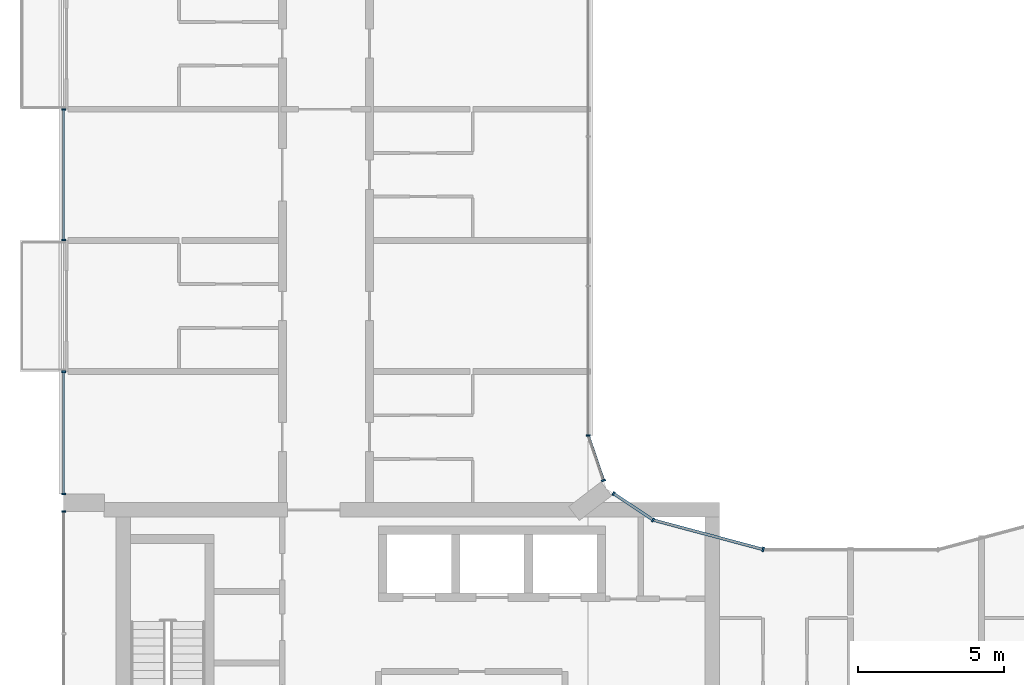
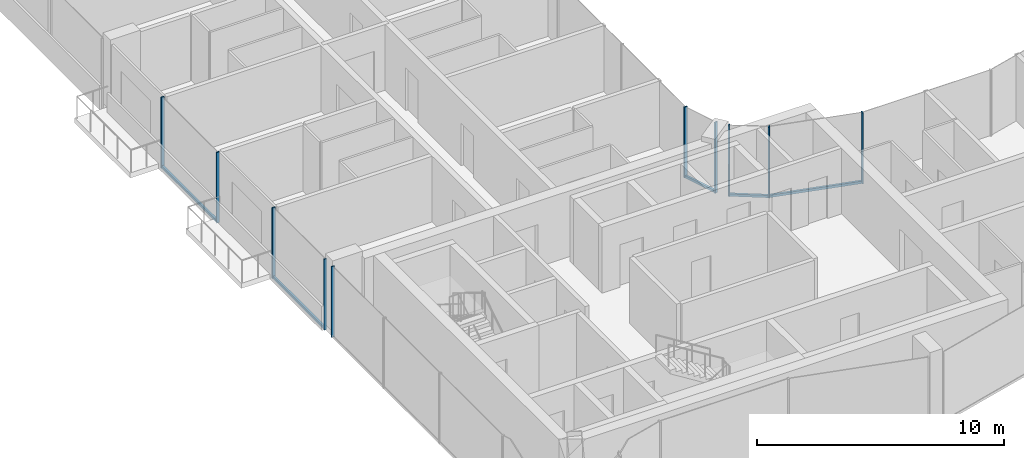
# One storey, part 4 of 16: 15 members, 7 elements without a shape of their own.
"""IFC4 building model written with IfcOpenShell, lengths in metres."""

from ifc_helpers import new_model, si_unit, direction, frame, origin, origin_2d, place, context, subcontext, project, spatial, rectangle, extrude, material, layer, layer_set, material_profile, profile_set, type_object, element, aggregate, save


model = new_model("IFC4")

# Units and contexts
model_context = context("Model", 3, precision=1e-05, world=origin(), true_north=direction((0.0, 1.0)))
body_context = subcontext(model_context, "Body", "Model", "MODEL_VIEW")
ifc_project = project(units=[si_unit("LENGTHUNIT", "METRE"), si_unit("AREAUNIT", "SQUARE_METRE"), si_unit("VOLUMEUNIT", "CUBIC_METRE"), si_unit("PLANEANGLEUNIT", "RADIAN"), si_unit("MASSUNIT", "GRAM", prefix="KILO")], contexts=[model_context])

# Site, building, storey
site_placement = place(None, origin())
site = spatial("IfcSite", under=ifc_project, at=site_placement, CompositionType="ELEMENT")
building_placement = place(site_placement, origin())
building = spatial("IfcBuilding", under=site, at=building_placement, Name="Plateau Cross Towers", CompositionType="ELEMENT")
storey_placement = place(building_placement, frame((0.0, 0.0, 218.89990234375)))
storey = spatial("IfcBuildingStorey", under=building, at=storey_placement, Name="L57", CompositionType="ELEMENT", Elevation=218.89990234375)

# Curtain wall, members
ifc_material_1 = material(Name="Dark low-iron glass", Category="glass")
ifc_layer_1 = layer(ifc_material_1, 0.239990234375)
ifc_layer_set_1 = layer_set([ifc_layer_1], Name="Dark low-iron glass")
curtain_wall_type_1 = type_object("IfcCurtainWallType", Name="Curtain wall flush unitised CW-B", PredefinedType="NOTDEFINED", material=ifc_layer_set_1)
curtain_wall_1_placement = place(storey_placement, origin())
curtain_wall_1 = element("IfcCurtainWall", 1, at=curtain_wall_1_placement, inside=storey, type_object=curtain_wall_type_1, Name="ENV/A/L57/A202_174", PredefinedType="NOTDEFINED")
ifc_material_2 = material(Name="Black anodised aluminium", Category="aluminium")
ifc_material_profile_1 = material_profile(ifc_material_2, rectangle(XDim=0.06005859375, YDim=0.139892578125, at=origin_2d()), Name="MULLION 60x140")
ifc_profile_set_1 = profile_set([ifc_material_profile_1], Name="Black anodised aluminium")
member_type_1 = type_object("IfcMemberType", Name="Mullion 60x140 flush unitised", PredefinedType="MULLION", material=ifc_profile_set_1)
member_1_placement = place(storey_placement, frame((20.223876953125, 17.404296875, -0.25), z_axis=(0.0, 0.0, 1.0), x_axis=(-0.831521253329, 0.555492938984, 0.0)))
member_1 = element("IfcMember", 2, at=member_1_placement, type_object=member_type_1, Name="CW-B mullion 1", PredefinedType="MULLION", context=body_context, shape_type="SweptSolid", body=[
    extrude(rectangle(XDim=0.06005859375, YDim=0.139892578125, at=origin_2d()), origin(), (0.0, 0.0, 1.0), 3.5),
])
member_2_placement = place(storey_placement, frame((18.86962890625, 18.30908203125, -0.25), z_axis=(0.0, 0.0, 1.0), x_axis=(-0.831521253329, 0.555492938984, 0.0)))
member_2 = element("IfcMember", 3, at=member_2_placement, type_object=member_type_1, Name="CW-B mullion 2", PredefinedType="MULLION", context=body_context, shape_type="SweptSolid", body=[
    extrude(rectangle(XDim=0.06005859375, YDim=0.139892578125, at=origin_2d()), origin(), (0.0, 0.0, 1.0), 3.5),
])

# Curtain wall, member
curtain_wall_2_placement = place(storey_placement, origin())
curtain_wall_2 = element("IfcCurtainWall", 4, at=curtain_wall_2_placement, inside=storey, type_object=curtain_wall_type_1, Name="ENV/A/L57/A185_188", PredefinedType="NOTDEFINED")
member_3_placement = place(storey_placement, frame((18.523681640625, 18.760009765625, -0.25), z_axis=(0.0, 0.0, 1.0), x_axis=(-0.321469161574, 0.94692004845, 0.0)))
member_3 = element("IfcMember", 5, at=member_3_placement, type_object=member_type_1, Name="CW-B mullion 1", PredefinedType="MULLION", context=body_context, shape_type="SweptSolid", body=[
    extrude(rectangle(XDim=0.06005859375, YDim=0.139892578125, at=origin_2d()), origin(), (0.0, 0.0, 1.0), 3.5),
])

curtain_wall_3_placement = place(storey_placement, origin())
curtain_wall_3 = element("IfcCurtainWall", 6, at=curtain_wall_3_placement, inside=storey, type_object=curtain_wall_type_1, Name="ENV/A/L57/A180_203", PredefinedType="NOTDEFINED")
member_4_placement = place(storey_placement, frame((18.0, 20.30224609375, -0.25), z_axis=(0.0, 0.0, 1.0), x_axis=(0.0, 1.0, 0.0)))
member_4 = element("IfcMember", 7, at=member_4_placement, type_object=member_type_1, Name="CW-B mullion 1", PredefinedType="MULLION", context=body_context, shape_type="SweptSolid", body=[
    extrude(rectangle(XDim=0.06005859375, YDim=0.139892578125, at=origin_2d()), origin(), (0.0, 0.0, 1.0), 3.5),
])
aggregate(curtain_wall_3, [member_4])

# Curtain wall, members
curtain_wall_4_placement = place(storey_placement, origin())
curtain_wall_4 = element("IfcCurtainWall", 8, at=curtain_wall_4_placement, inside=storey, type_object=curtain_wall_type_1, Name="ENV/A/L57/A0_315", PredefinedType="NOTDEFINED")
member_5_placement = place(storey_placement, frame((0.0, 31.489990234375, -0.25), z_axis=(0.0, 0.0, 1.0), x_axis=(0.0, -1.0, 0.0)))
member_5 = element("IfcMember", 9, at=member_5_placement, type_object=member_type_1, Name="CW-B mullion 1", PredefinedType="MULLION", context=body_context, shape_type="SweptSolid", body=[
    extrude(rectangle(XDim=0.06005859375, YDim=0.139892578125, at=origin_2d()), origin(), (0.0, 0.0, 1.0), 3.5),
])
member_6_placement = place(storey_placement, frame((0.0, 27.010009765625, -0.25), z_axis=(0.0, 0.0, 1.0), x_axis=(0.0, -1.0, 0.0)))
member_6 = element("IfcMember", 10, at=member_6_placement, type_object=member_type_1, Name="CW-B mullion 2", PredefinedType="MULLION", context=body_context, shape_type="SweptSolid", body=[
    extrude(rectangle(XDim=0.06005859375, YDim=0.139892578125, at=origin_2d()), origin(), (0.0, 0.0, 1.0), 3.5),
])

curtain_wall_5_placement = place(storey_placement, origin())
curtain_wall_5 = element("IfcCurtainWall", 11, at=curtain_wall_5_placement, inside=storey, type_object=curtain_wall_type_1, Name="ENV/A/L57/A0_225", PredefinedType="NOTDEFINED")
member_7_placement = place(storey_placement, frame((0.0, 22.489990234375, -0.25), z_axis=(0.0, 0.0, 1.0), x_axis=(0.0, -1.0, 0.0)))
member_7 = element("IfcMember", 12, at=member_7_placement, type_object=member_type_1, Name="CW-B mullion 1", PredefinedType="MULLION", context=body_context, shape_type="SweptSolid", body=[
    extrude(rectangle(XDim=0.06005859375, YDim=0.139892578125, at=origin_2d()), origin(), (0.0, 0.0, 1.0), 3.5),
])
member_8_placement = place(storey_placement, frame((0.0, 18.300048828125, -0.25), z_axis=(0.0, 0.0, 1.0), x_axis=(0.0, -1.0, 0.0)))
member_8 = element("IfcMember", 13, at=member_8_placement, type_object=member_type_1, Name="CW-B mullion 2", PredefinedType="MULLION", context=body_context, shape_type="SweptSolid", body=[
    extrude(rectangle(XDim=0.06005859375, YDim=0.139892578125, at=origin_2d()), origin(), (0.0, 0.0, 1.0), 3.5),
])

# Curtain wall, member
curtain_wall_6_placement = place(storey_placement, origin())
curtain_wall_6 = element("IfcCurtainWall", 14, at=curtain_wall_6_placement, inside=storey, type_object=curtain_wall_type_1, Name="ENV/A/L57/A0_177", PredefinedType="NOTDEFINED")
member_9_placement = place(storey_placement, frame((0.0, 17.699951171875, -0.25), z_axis=(0.0, 0.0, 1.0), x_axis=(0.0, -1.0, 0.0)))
member_9 = element("IfcMember", 15, at=member_9_placement, type_object=member_type_1, Name="CW-B mullion 1", PredefinedType="MULLION", context=body_context, shape_type="SweptSolid", body=[
    extrude(rectangle(XDim=0.06005859375, YDim=0.139892578125, at=origin_2d()), origin(), (0.0, 0.0, 1.0), 3.5),
])
aggregate(curtain_wall_6, [member_9])

ifc_layer_2 = layer(ifc_material_1, 0.260009765625)
ifc_layer_set_2 = layer_set([ifc_layer_2], Name="Dark low-iron glass")
curtain_wall_type_2 = type_object("IfcCurtainWallType", Name="Curtain wall fluted unitised CW-A", PredefinedType="NOTDEFINED", material=ifc_layer_set_2)
curtain_wall_7_placement = place(storey_placement, origin())
curtain_wall_7 = element("IfcCurtainWall", 16, at=curtain_wall_7_placement, inside=storey, type_object=curtain_wall_type_2, Name="ENV/A/L57/A240_164", PredefinedType="NOTDEFINED")
ifc_material_profile_2 = material_profile(ifc_material_2, rectangle(XDim=0.06005859375, YDim=0.159912109375, at=origin_2d()), Name="MULLION 60x160")
ifc_profile_set_2 = profile_set([ifc_material_profile_2], Name="Black anodised aluminium")
member_type_2 = type_object("IfcMemberType", Name="Mullion 60x160 fluted unitised", PredefinedType="MULLION", material=ifc_profile_set_2)
member_10_placement = place(storey_placement, frame((24.0, 16.39306640625, -0.25), z_axis=(0.0, 0.0, 1.0), x_axis=(-0.965957995816, 0.258698956933, 0.0)))
member_10 = element("IfcMember", 17, at=member_10_placement, type_object=member_type_2, Name="CW-A mullion 1", PredefinedType="MULLION", context=body_context, shape_type="SweptSolid", body=[
    extrude(rectangle(XDim=0.06005859375, YDim=0.159912109375, at=origin_2d()), origin(), (0.0, 0.0, 1.0), 3.5),
])

# Member
ifc_material_profile_3 = material_profile(ifc_material_2, rectangle(XDim=0.10009765625, YDim=0.1201171875, at=origin_2d()), Name="TRANSOM 100x120")
ifc_profile_set_3 = profile_set([ifc_material_profile_3], Name="Black anodised aluminium")
member_type_3 = type_object("IfcMemberType", Name="Transom 100x120 flush unitised", PredefinedType="USERDEFINED", material=ifc_profile_set_3)
member_11_placement = place(storey_placement, frame((20.223876953125, 17.404296875, -0.18994140625), z_axis=(-0.831496402487, 0.555530136582, 0.0), x_axis=(-0.555530136582, -0.831496402487, 0.0)))
member_11 = element("IfcMember", 18, at=member_11_placement, type_object=member_type_3, Name="CW-B transom", ObjectType="TRANSOM", PredefinedType="USERDEFINED", context=body_context, shape_type="SweptSolid", body=[
    extrude(rectangle(XDim=0.10009765625, YDim=0.1201171875, at=origin_2d()), origin(), (0.0, 0.0, 1.0), 1.628662109375),
])

aggregate(curtain_wall_1, [member_1, member_2, member_11])

member_12_placement = place(storey_placement, frame((18.523681640625, 18.760009765625, -0.18994140625), z_axis=(-0.321529174838, 0.946899672472, 0.0), x_axis=(-0.946899672472, -0.321529174838, 0.0)))
member_12 = element("IfcMember", 19, at=member_12_placement, type_object=member_type_3, Name="CW-B transom", ObjectType="TRANSOM", PredefinedType="USERDEFINED", context=body_context, shape_type="SweptSolid", body=[
    extrude(rectangle(XDim=0.10009765625, YDim=0.1201171875, at=origin_2d()), origin(), (0.0, 0.0, 1.0), 1.628662109375),
])

aggregate(curtain_wall_2, [member_3, member_12])

member_13_placement = place(storey_placement, frame((0.0, 31.489990234375, -0.18994140625), z_axis=(0.0, -1.0, 0.0), x_axis=(1.0, 0.0, 0.0)))
member_13 = element("IfcMember", 20, at=member_13_placement, type_object=member_type_3, Name="CW-B transom", ObjectType="TRANSOM", PredefinedType="USERDEFINED", context=body_context, shape_type="SweptSolid", body=[
    extrude(rectangle(XDim=0.10009765625, YDim=0.1201171875, at=origin_2d()), origin(), (0.0, 0.0, 1.0), 4.47998046875),
])

aggregate(curtain_wall_4, [member_5, member_6, member_13])

member_14_placement = place(storey_placement, frame((0.0, 22.489990234375, -0.18994140625), z_axis=(0.0, -1.0, 0.0), x_axis=(1.0, 0.0, 0.0)))
member_14 = element("IfcMember", 21, at=member_14_placement, type_object=member_type_3, Name="CW-B transom", ObjectType="TRANSOM", PredefinedType="USERDEFINED", context=body_context, shape_type="SweptSolid", body=[
    extrude(rectangle(XDim=0.10009765625, YDim=0.1201171875, at=origin_2d()), origin(), (0.0, 0.0, 1.0), 4.18994140625),
])

aggregate(curtain_wall_5, [member_7, member_8, member_14])

ifc_material_profile_4 = material_profile(ifc_material_2, rectangle(XDim=0.10009765625, YDim=0.1201171875, at=origin_2d()), Name="TRANSOM 100x120")
ifc_profile_set_4 = profile_set([ifc_material_profile_4], Name="Black anodised aluminium")
member_type_4 = type_object("IfcMemberType", Name="Transom 100x120 fluted unitised", PredefinedType="USERDEFINED", material=ifc_profile_set_4)
member_15_placement = place(storey_placement, frame((24.0, 16.39306640625, -0.18994140625), z_axis=(-0.965962822393, 0.25868093427, 0.0), x_axis=(-0.25868093427, -0.965962822393, 0.0)))
member_15 = element("IfcMember", 22, at=member_15_placement, type_object=member_type_4, Name="CW-A transom", ObjectType="TRANSOM", PredefinedType="USERDEFINED", context=body_context, shape_type="SweptSolid", body=[
    extrude(rectangle(XDim=0.10009765625, YDim=0.1201171875, at=origin_2d()), origin(), (0.0, 0.0, 1.0), 3.9091796875),
])

aggregate(curtain_wall_7, [member_10, member_15])

save(model, "model.ifc")
